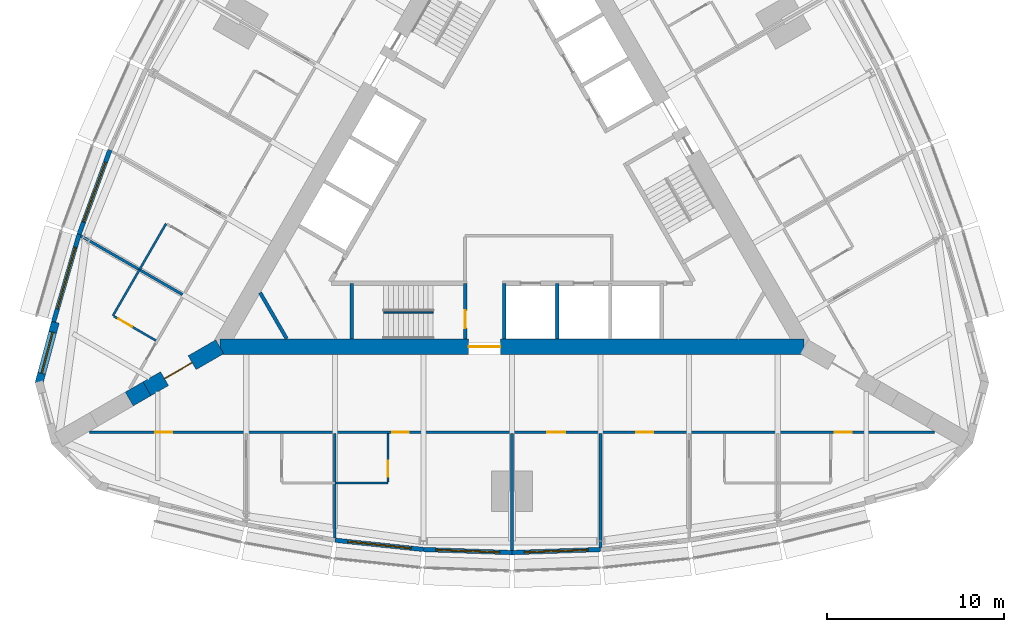
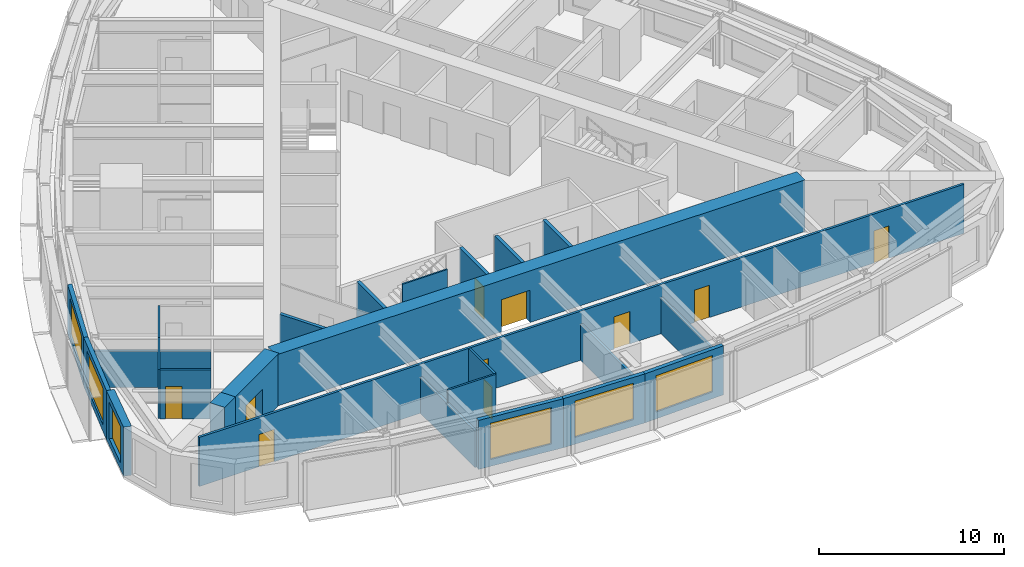
# One storey, part 8 of 14: 25 walls, 10 doors, 6 windows, 16 openings.
"""IFC4 building model written with IfcOpenShell, lengths in metres."""

import ifcopenshell
import ifcopenshell.guid

model = None  # the IFC model being written
_history = None  # IfcOwnerHistory: only IFC2X3 demands one
_inside = {}  # id of a spatial element -> (the spatial element, [elements in it])
_under = {}  # id of a project, library or spatial element -> (it, [spatial elements below it])
_declared = {}  # id of a project -> (the project, [libraries it declares])
_typed = {}  # id of a type object -> (the type object, [elements of that type])
_made_of = {}  # id of a material, layer set ... -> (it, [elements and type objects made of it])


def new_model(schema):
    """Start an empty IFC model of exactly this schema.

    Asked for "IFC4X3", IfcOpenShell would pick the latest addendum, in which some entities
    have other attributes; the version numbers below select the first issue.
    IFC2X3 requires an IfcOwnerHistory on every rooted entity: one is made here for all.
    """
    global model, _history
    if schema == "IFC4X3":
        model = ifcopenshell.file(schema_version=(4, 3, 0, 0))
    else:
        model = ifcopenshell.file(schema=schema)
    _inside.clear()
    _under.clear()
    _declared.clear()
    _typed.clear()
    _made_of.clear()
    _history = None
    if model.schema == "IFC2X3":
        org = make("IfcOrganization", Name="unknown")
        user = make(
            "IfcPersonAndOrganization",
            ThePerson=make("IfcPerson", FamilyName="unknown"),
            TheOrganization=org,
        )
        app = make(
            "IfcApplication",
            ApplicationDeveloper=org,
            Version="unknown",
            ApplicationFullName="unknown",
            ApplicationIdentifier="unknown",
        )
        _history = make(
            "IfcOwnerHistory",
            OwningUser=user,
            OwningApplication=app,
            ChangeAction="ADDED",
            CreationDate=0,
        )
    return model


def make(cls, **values):
    """One entity of the class cls with the attributes given. An attribute that is None is left unset."""
    return model.create_entity(
        cls, **{name: value for name, value in values.items() if value is not None}
    )


def rooted(cls, **values):
    """An entity with a GlobalId (a new one), such as an element, a storey or a relation."""
    return make(cls, GlobalId=ifcopenshell.guid.new(), OwnerHistory=_history, **values)


def si_unit(unit_type, name, prefix=None):
    """IfcSIUnit, for example si_unit("LENGTHUNIT", "METRE", prefix="MILLI")."""
    return make("IfcSIUnit", UnitType=unit_type, Prefix=prefix, Name=name)


def assignment(units):
    """IfcUnitAssignment: the units of a project."""
    return None if units is None else make("IfcUnitAssignment", Units=units)


def point(xyz):
    """IfcCartesianPoint."""
    return None if xyz is None else make("IfcCartesianPoint", Coordinates=xyz)


def direction(xyz):
    """IfcDirection."""
    return None if xyz is None else make("IfcDirection", DirectionRatios=xyz)


def frame(location, z_axis=None, x_axis=None):
    """IfcAxis2Placement3D, a coordinate frame: its origin and axes. An axis left out is left unset."""
    return make(
        "IfcAxis2Placement3D",
        Location=point(location),
        Axis=direction(z_axis),
        RefDirection=direction(x_axis),
    )


def frame_2d(location, x_axis=None):
    """IfcAxis2Placement2D, a coordinate frame in the plane: its origin and x axis."""
    return make(
        "IfcAxis2Placement2D", Location=point(location), RefDirection=direction(x_axis)
    )


def origin():
    """The frame at (0, 0, 0) with its axes left unset."""
    return frame((0.0, 0.0, 0.0))


def place(relative_to, where):
    """IfcLocalPlacement: puts the frame where relative to a parent placement (None: the world)."""
    return make(
        "IfcLocalPlacement", PlacementRelTo=relative_to, RelativePlacement=where
    )


def context(
    kind, dimensions, precision=None, world=None, true_north=None, identifier=None
):
    """IfcGeometricRepresentationContext, for example the 3D "Model" context."""
    return make(
        "IfcGeometricRepresentationContext",
        ContextIdentifier=identifier,
        ContextType=kind,
        CoordinateSpaceDimension=dimensions,
        Precision=precision,
        WorldCoordinateSystem=world,
        TrueNorth=true_north,
    )


def subcontext(parent, identifier, kind, view, scale=None):
    """IfcGeometricRepresentationSubContext, for example "Body" below "Model"."""
    return make(
        "IfcGeometricRepresentationSubContext",
        ContextIdentifier=identifier,
        ContextType=kind,
        ParentContext=parent,
        TargetScale=scale,
        TargetView=view,
    )


def project(units=None, contexts=None):
    """IfcProject with its units and contexts."""
    return rooted(
        "IfcProject",
        Name="project",
        RepresentationContexts=contexts,
        UnitsInContext=assignment(units),
    )


def spatial(cls, under=None, at=None, **own):
    """A site, building, storey or space (cls), placed at a placement, below another one or the project."""
    s = rooted(cls, ObjectPlacement=at, **own)
    if under is not None:
        _under.setdefault(under.id(), (under, []))[1].append(s)
    return s


def profile(cls, at=None, kind="AREA", **sizes):
    """A parametric profile (cls). Its sizes go by their IFC names, for example OverallWidth=200.0."""
    return make(cls, ProfileType=kind, Position=at, **sizes)


def rectangle(**sizes):
    """IfcRectangleProfileDef."""
    return profile("IfcRectangleProfileDef", **sizes)


def extrude(swept, where, along, depth):
    """IfcExtrudedAreaSolid: the profile swept, set in the frame where, extruded along a direction by depth."""
    return make(
        "IfcExtrudedAreaSolid",
        SweptArea=swept,
        Position=where,
        ExtrudedDirection=direction(along),
        Depth=depth,
    )


def shape(context_of_items, identifier, shape_type, items):
    """IfcShapeRepresentation: the items that make up one representation, for example the "Body"."""
    return make(
        "IfcShapeRepresentation",
        ContextOfItems=context_of_items,
        RepresentationIdentifier=identifier,
        RepresentationType=shape_type,
        Items=items,
    )


def material(Name=None, Category=None):
    """IfcMaterial."""
    return make("IfcMaterial", Name=Name, Category=Category)


def layer(
    of_material, thickness, ventilated=None, Name=None, Category=None, Priority=None
):
    """IfcMaterialLayer: one layer of a wall or slab, of a material (None: an air gap)."""
    return make(
        "IfcMaterialLayer",
        Material=of_material,
        LayerThickness=thickness,
        IsVentilated=ventilated,
        Name=Name,
        Category=Category,
        Priority=Priority,
    )


def layer_set(layers, Name=None):
    """IfcMaterialLayerSet."""
    return make("IfcMaterialLayerSet", MaterialLayers=layers, LayerSetName=Name)


def made_of(thing, what):
    """Note that an element or type object is made of a material, layer set ...; save() writes the relation."""
    if what is not None:
        _made_of.setdefault(what.id(), (what, []))[1].append(thing)
    return thing


def type_object(cls, material=None, **own):
    """A type object (cls), such as IfcWallType, which elements share."""
    return made_of(rooted(cls, **own), material)


def element(
    cls,
    number,
    at=None,
    inside=None,
    cuts=None,
    type_object=None,
    material=None,
    context=None,
    identifier="Body",
    shape_type=None,
    held_by="IfcProductDefinitionShape",
    body=None,
    shapes=None,
    **own,
):
    """One element of the class cls, such as IfcWall. Its Tag is "e" and its number.

    at: its placement. inside: the storey or other place that contains it. cuts: it is an
    opening in that element (IfcRelVoidsElement). A single representation is given by context,
    identifier, shape_type and body (its items); several are given by shapes. held_by: the class
    of the entity that holds the representations. save() writes the other relations.
    """
    e = rooted(cls, Tag="e%d" % number, ObjectPlacement=at, **own)
    if body is not None:
        shapes = [shape(context, identifier, shape_type, body)]
    if shapes is not None:
        e.Representation = make(held_by, Representations=shapes)
    if inside is not None:
        _inside.setdefault(inside.id(), (inside, []))[1].append(e)
    if cuts is not None:
        rooted(
            "IfcRelVoidsElement", RelatingBuildingElement=cuts, RelatedOpeningElement=e
        )
    if type_object is not None:
        _typed.setdefault(type_object.id(), (type_object, []))[1].append(e)
    return made_of(e, material)


def fill(opening, filler):
    """IfcRelFillsElement: the door or window that sits in an opening."""
    return rooted(
        "IfcRelFillsElement",
        RelatingOpeningElement=opening,
        RelatedBuildingElement=filler,
    )


def aggregate(whole, parts):
    """IfcRelAggregates: a whole, such as a stair, and the parts it consists of."""
    return rooted("IfcRelAggregates", RelatingObject=whole, RelatedObjects=parts)


def save(model, path):
    """Write the relations noted so far, then the file.

    IfcRelAggregates (storeys below a building ...), IfcRelContainedInSpatialStructure (elements
    in a storey), IfcRelDefinesByType, IfcRelAssociatesMaterial and IfcRelDeclares: one each for
    every whole, place, type object, material and project.
    """
    for whole, parts in _under.values():
        aggregate(whole, parts)
    for where, things in _inside.values():
        rooted(
            "IfcRelContainedInSpatialStructure",
            RelatedElements=things,
            RelatingStructure=where,
        )
    for kind, things in _typed.values():
        rooted("IfcRelDefinesByType", RelatedObjects=things, RelatingType=kind)
    for what, things in _made_of.values():
        rooted("IfcRelAssociatesMaterial", RelatedObjects=things, RelatingMaterial=what)
    for by, libraries in _declared.values():
        rooted("IfcRelDeclares", RelatingContext=by, RelatedDefinitions=libraries)
    model.write(path)


model = new_model("IFC4")

# Units and contexts
model_context = context("Model", 3, precision=1e-05, world=origin(), true_north=direction((0.0, 1.0)))
body_context = subcontext(model_context, "Body", "Model", "MODEL_VIEW")
ifc_project = project(units=[si_unit("LENGTHUNIT", "METRE"), si_unit("AREAUNIT", "SQUARE_METRE"), si_unit("VOLUMEUNIT", "CUBIC_METRE"), si_unit("PLANEANGLEUNIT", "RADIAN"), si_unit("MASSUNIT", "GRAM", prefix="KILO")], contexts=[model_context])

# Site, building, storey
site_placement = place(None, origin())
site = spatial("IfcSite", under=ifc_project, at=site_placement, CompositionType="ELEMENT")
building_placement = place(site_placement, origin())
building = spatial("IfcBuilding", under=site, at=building_placement, Name="Trikona Tower", CompositionType="ELEMENT")
storey_placement = place(building_placement, frame((0.0, 0.0, 182.699951171875)))
storey = spatial("IfcBuildingStorey", under=building, at=storey_placement, Name="L49", CompositionType="ELEMENT", Elevation=182.699951171875)

# Wall
ifc_material_1 = material(Name="Metal stud and cement board", Category="gypsum")
ifc_layer_1 = layer(ifc_material_1, 0.1201171875)
ifc_layer_set_1 = layer_set([ifc_layer_1], Name="Bathroom wall 120")
wall_type_1 = type_object("IfcWallType", Name="Bathroom wall 120", PredefinedType="PLUMBINGWALL", material=ifc_layer_set_1)
wall_1_placement = place(storey_placement, frame((-10.0, -17.226318359375, 0.0), z_axis=(0.0, 0.0, 1.0), x_axis=(1.0, 0.0, 0.0)))
element("IfcWall", 1, at=wall_1_placement, inside=storey, type_object=wall_type_1, Name="Bathroom wall 4902", PredefinedType="PLUMBINGWALL", context=body_context, shape_type="SweptSolid", body=[
    extrude(rectangle(XDim=3.0, YDim=0.1201171875, at=frame_2d((1.5, 0.0))), origin(), (0.0, 0.0, 1.0), 3.235107421875),
])

# Wall, opening, door
wall_2_placement = place(storey_placement, frame((-7.0, -14.42626953125, 0.0), z_axis=(0.0, 0.0, 1.0), x_axis=(0.0, -1.0, 0.0)))
wall_2 = element("IfcWall", 2, at=wall_2_placement, inside=storey, type_object=wall_type_1, Name="Bathroom wall 4902", PredefinedType="PLUMBINGWALL", context=body_context, shape_type="SweptSolid", body=[
    extrude(rectangle(XDim=2.739990234375, YDim=0.1201171875, at=frame_2d((1.3701171875, 0.0))), origin(), (0.0, 0.0, 1.0), 3.235107421875),
])
opening_1_placement = place(wall_2_placement, frame((1.550048828125, 0.0, 0.0)))
opening_1 = element("IfcOpeningElement", 3, at=opening_1_placement, cuts=wall_2, Name="Opening D2", PredefinedType="OPENING", context=body_context, shape_type="SweptSolid", body=[
    extrude(rectangle(XDim=0.89990234375, YDim=2.1298828125, at=frame_2d((0.449951171875, 1.06494140625))), frame((0.0, 0.070068359375, 0.0), z_axis=(0.0, -1.0, 0.0), x_axis=(1.0, 0.0, 0.0)), (0.0, 0.0, 1.0), 0.14013671875),
])
ifc_material_2 = material(Name="Steel door frame with solid-core timber leaf", Category="steel")
door_type_1 = type_object("IfcDoorType", Name="Bathroom door 900x2130", OperationType="SLIDING_TO_LEFT", PredefinedType="DOOR", material=ifc_material_2)
door_1_placement = place(opening_1_placement, origin())
door_1 = element("IfcDoor", 4, at=door_1_placement, inside=storey, type_object=door_type_1, Name="Bathroom door 4902", OperationType="SLIDING_TO_LEFT", OverallHeight=2.1298828125, OverallWidth=0.89990234375, PredefinedType="DOOR", context=body_context, shape_type="SweptSolid", body=[
    extrude(rectangle(XDim=0.89990234375, YDim=2.1298828125, at=frame_2d((0.449951171875, 1.06494140625))), frame((0.0, 0.02490234375, 0.0), z_axis=(0.0, -1.0, 0.0), x_axis=(1.0, 0.0, 0.0)), (0.0, 0.0, 1.0), 0.050048828125),
])
fill(opening_1, door_1)

# Walls
for number, where, z_axis, x_axis, name in (
    (5, (-19.53271484375, -2.5791015625, 0.0), (0.0, 0.0, 1.0), (-0.499990139034, -0.866031096941, 0.0), "Bathroom wall 4911.1"),
    (6, (-21.03271484375, -5.17724609375, 0.0), (0.0, 0.0, 1.0), (-0.499990139034, -0.866031096941, 0.0), "Bathroom wall 4912"),
):
    element("IfcWall", number, at=place(storey_placement, frame(where, z_axis=z_axis, x_axis=x_axis)), inside=storey, type_object=wall_type_1, Name=name, PredefinedType="PLUMBINGWALL", context=body_context, shape_type="SweptSolid", body=[
        extrude(rectangle(XDim=3.0, YDim=0.1201171875, at=frame_2d((1.5, 0.0))), origin(), (0.0, 0.0, 1.0), 3.235107421875),
    ])

# Wall, opening, door
wall_3_placement = place(storey_placement, frame((-20.10791015625, -9.17529296875, 0.0), z_axis=(0.0, 0.0, 1.0), x_axis=(-0.866035715982, 0.499982138324, 0.0)))
wall_3 = element("IfcWall", 7, at=wall_3_placement, inside=storey, type_object=wall_type_1, Name="Bathroom wall 4912", PredefinedType="PLUMBINGWALL", context=body_context, shape_type="SweptSolid", body=[
    extrude(rectangle(XDim=2.73974609375, YDim=0.1201171875, at=frame_2d((1.369873046875, 0.0))), origin(), (0.0, 0.0, 1.0), 3.235107421875),
])
opening_2_placement = place(wall_3_placement, frame((1.550048828125, 0.0, 0.0)))
opening_2 = element("IfcOpeningElement", 8, at=opening_2_placement, cuts=wall_3, Name="Opening D2", PredefinedType="OPENING", context=body_context, shape_type="SweptSolid", body=[
    extrude(rectangle(XDim=0.89990234375, YDim=2.1298828125, at=frame_2d((0.449951171875, 1.06494140625))), frame((0.0, 0.070068359375, 0.0), z_axis=(0.0, -1.0, 0.0), x_axis=(1.0, 0.0, 0.0)), (0.0, 0.0, 1.0), 0.14013671875),
])
door_2_placement = place(opening_2_placement, origin())
door_2 = element("IfcDoor", 9, at=door_2_placement, inside=storey, type_object=door_type_1, Name="Bathroom door 4912", OperationType="SLIDING_TO_LEFT", OverallHeight=2.1298828125, OverallWidth=0.89990234375, PredefinedType="DOOR", context=body_context, shape_type="SweptSolid", body=[
    extrude(rectangle(XDim=0.89990234375, YDim=2.1298828125, at=frame_2d((0.449951171875, 1.06494140625))), frame((0.0, 0.02490234375, 0.0), z_axis=(0.0, -1.0, 0.0), x_axis=(1.0, 0.0, 0.0)), (0.0, 0.0, 1.0), 0.050048828125),
])
fill(opening_2, door_2)

# Wall, opening, window
ifc_material_3 = material(Name="Brick-faced precast concrete", Category="masonry")
ifc_layer_2 = layer(ifc_material_3, 0.449951171875)
ifc_layer_set_2 = layer_set([ifc_layer_2], Name="Brick-faced corner wall 450")
wall_type_2 = type_object("IfcWallType", Name="Brick-faced corner wall 450", PredefinedType="SOLIDWALL", material=ifc_layer_set_2)
wall_4_placement = place(storey_placement, frame((-25.78271484375, -8.14111328125, 0.0), z_axis=(0.0, 0.0, 1.0), x_axis=(-0.258823421857, -0.965924653531, 0.0)))
wall_4 = element("IfcWall", 10, at=wall_4_placement, inside=storey, type_object=wall_type_2, Name="External wall L49-32", PredefinedType="SOLIDWALL", context=body_context, shape_type="SweptSolid", body=[
    extrude(rectangle(XDim=3.58642578125, YDim=0.449951171875, at=frame_2d((1.793212890625, 0.0))), origin(), (0.0, 0.0, 1.0), 3.235107421875),
])
opening_3_placement = place(wall_4_placement, frame((0.593017578125, 0.0, 0.449951171875)))
opening_3 = element("IfcOpeningElement", 11, at=opening_3_placement, cuts=wall_4, Name="Opening W2424", PredefinedType="OPENING", context=body_context, shape_type="SweptSolid", body=[
    extrude(rectangle(XDim=2.39990234375, YDim=2.39990234375, at=frame_2d((1.199951171875, 1.199951171875))), frame((0.0, 0.23486328125, 0.0), z_axis=(0.0, -1.0, 0.0), x_axis=(1.0, 0.0, 0.0)), (0.0, 0.0, 1.0), 0.469970703125),
])
ifc_material_4 = material(Name="Aluminium-framed double glazing", Category="aluminium")
window_type_1 = type_object("IfcWindowType", Name="Window 2400x2400", PartitioningType="SINGLE_PANEL", PredefinedType="WINDOW", material=ifc_material_4)
window_1_placement = place(opening_3_placement, origin())
window_1 = element("IfcWindow", 12, at=window_1_placement, inside=storey, type_object=window_type_1, Name="Window 4912", OverallHeight=2.39990234375, OverallWidth=2.39990234375, PartitioningType="SINGLE_PANEL", PredefinedType="WINDOW", context=body_context, shape_type="SweptSolid", body=[
    extrude(rectangle(XDim=2.39990234375, YDim=2.39990234375, at=frame_2d((1.199951171875, 1.199951171875))), frame((0.0, 0.030029296875, 0.0), z_axis=(0.0, -1.0, 0.0), x_axis=(1.0, 0.0, 0.0)), (0.0, 0.0, 1.0), 0.06005859375),
])
fill(opening_3, window_1)

# Wall, opening, door
ifc_material_5 = material(Name="Concrete f'c 10000 psi", Category="concrete")
ifc_layer_3 = layer(ifc_material_5, 0.89990234375)
ifc_layer_set_3 = layer_set([ifc_layer_3], Name="Buttress wall 900")
wall_type_3 = type_object("IfcWallType", Name="Buttress wall 900", PredefinedType="SHEAR", material=ifc_layer_set_3)
wall_5_placement = place(storey_placement, frame((-16.5, -9.5263671875, 0.0), z_axis=(0.0, 0.0, 1.0), x_axis=(-0.866031398331, -0.499989616998, 0.0)))
wall_5 = element("IfcWall", 13, at=wall_5_placement, inside=storey, type_object=wall_type_3, Name="Buttress wall 3", PredefinedType="SHEAR", context=body_context, shape_type="SweptSolid", body=[
    extrude(rectangle(XDim=4.74609375, YDim=0.89990234375, at=frame_2d((2.373046875, 0.0))), origin(), (0.0, 0.0, 1.0), 3.400146484375),
])
opening_4_placement = place(wall_5_placement, frame((1.800048828125, 0.0, 0.0)))
opening_4 = element("IfcOpeningElement", 14, at=opening_4_placement, cuts=wall_5, Name="Opening D10", PredefinedType="OPENING", context=body_context, shape_type="SweptSolid", body=[
    extrude(rectangle(XDim=1.800048828125, YDim=2.1298828125, at=frame_2d((0.89990234375, 1.06494140625))), frame((0.0, 0.4599609375, 0.0), z_axis=(0.0, -1.0, 0.0), x_axis=(1.0, 0.0, 0.0)), (0.0, 0.0, 1.0), 0.919921875),
])
ifc_material_6 = material(Name="Hollow metal door and frame", Category="steel")
door_type_2 = type_object("IfcDoorType", Name="Cross-corridor door pair 1800x2130", OperationType="DOUBLE_DOOR_DOUBLE_SWING", PredefinedType="DOOR", material=ifc_material_6)
door_3_placement = place(opening_4_placement, origin())
door_3 = element("IfcDoor", 15, at=door_3_placement, inside=storey, type_object=door_type_2, Name="Cross-corridor door 3", OperationType="DOUBLE_DOOR_DOUBLE_SWING", OverallHeight=2.1298828125, OverallWidth=1.800048828125, PredefinedType="DOOR", context=body_context, shape_type="SweptSolid", body=[
    extrude(rectangle(XDim=1.800048828125, YDim=2.1298828125, at=frame_2d((0.89990234375, 1.06494140625))), frame((0.0, 0.02490234375, 0.0), z_axis=(0.0, -1.0, 0.0), x_axis=(1.0, 0.0, 0.0)), (0.0, 0.0, 1.0), 0.050048828125),
])
fill(opening_4, door_3)

# Wall
wall_6_placement = place(storey_placement, frame((-20.6103515625, -11.8994140625, 0.0), z_axis=(0.0, 0.0, 1.0), x_axis=(-0.866009537788, -0.500027479704, 0.0)))
element("IfcWall", 16, at=wall_6_placement, inside=storey, type_object=wall_type_3, Name="Buttress wall 3 part 2", PredefinedType="SHEAR", context=body_context, shape_type="SweptSolid", body=[
    extrude(rectangle(XDim=1.15478515625, YDim=0.89990234375, at=frame_2d((0.577392578125, 0.0))), origin(), (0.0, 0.0, 1.0), 3.400146484375),
])

# Wall, opening, door
ifc_material_7 = material(Name="Concrete f'c 10000 psi", Category="concrete")
ifc_layer_4 = layer(ifc_material_7, 0.89990234375)
ifc_layer_set_4 = layer_set([ifc_layer_4], Name="Core wall 900")
wall_type_4 = type_object("IfcWallType", Name="Core wall 900", PredefinedType="SHEAR", material=ifc_layer_set_4)
wall_7_placement = place(storey_placement, frame((-16.5, -9.5263671875, 0.0), z_axis=(0.0, 0.0, 1.0), x_axis=(1.0, 0.0, 0.0)))
wall_7 = element("IfcWall", 17, at=wall_7_placement, inside=storey, type_object=wall_type_4, Name="Core wall A", PredefinedType="SHEAR", context=body_context, shape_type="SweptSolid", body=[
    extrude(rectangle(XDim=33.0, YDim=0.89990234375, at=frame_2d((16.5, 0.0))), origin(), (0.0, 0.0, 1.0), 3.400146484375),
])
opening_5_placement = place(wall_7_placement, frame((14.050048828125, 0.0, 0.0)))
opening_5 = element("IfcOpeningElement", 18, at=opening_5_placement, cuts=wall_7, Name="Opening D6", PredefinedType="OPENING", context=body_context, shape_type="SweptSolid", body=[
    extrude(rectangle(XDim=1.800048828125, YDim=2.1298828125, at=frame_2d((0.89990234375, 1.06494140625))), frame((0.0, 0.4599609375, 0.0), z_axis=(0.0, -1.0, 0.0), x_axis=(1.0, 0.0, 0.0)), (0.0, 0.0, 1.0), 0.919921875),
])
ifc_material_8 = material(Name="Hollow metal door and frame", Category="steel")
door_type_3 = type_object("IfcDoorType", Name="Lobby door pair 1800x2130", OperationType="DOUBLE_DOOR_SINGLE_SWING", PredefinedType="DOOR", material=ifc_material_8)
door_4_placement = place(opening_5_placement, origin())
door_4 = element("IfcDoor", 19, at=door_4_placement, inside=storey, type_object=door_type_3, Name="Fire service lift lobby door", OperationType="DOUBLE_DOOR_SINGLE_SWING", OverallHeight=2.1298828125, OverallWidth=1.800048828125, PredefinedType="DOOR", context=body_context, shape_type="SweptSolid", body=[
    extrude(rectangle(XDim=1.800048828125, YDim=2.1298828125, at=frame_2d((0.89990234375, 1.06494140625))), frame((0.0, 0.02490234375, 0.0), z_axis=(0.0, -1.0, 0.0), x_axis=(1.0, 0.0, 0.0)), (0.0, 0.0, 1.0), 0.050048828125),
])
fill(opening_5, door_4)

# Wall, openings, doors
ifc_material_9 = material(Name="Metal stud and gypsum board, 1-hour", Category="gypsum")
ifc_layer_5 = layer(ifc_material_9, 0.14990234375)
ifc_layer_set_5 = layer_set([ifc_layer_5], Name="Corridor wall 150")
wall_type_5 = type_object("IfcWallType", Name="Corridor wall 150", PredefinedType="PARTITIONING", material=ifc_layer_set_5)
wall_8_placement = place(storey_placement, frame((-23.857177734375, -14.351318359375, 0.0), z_axis=(0.0, 0.0, 1.0), x_axis=(1.0, 0.0, 0.0)))
wall_8 = element("IfcWall", 20, at=wall_8_placement, inside=storey, type_object=wall_type_5, Name="Corridor wall L49-1", PredefinedType="PARTITIONING", context=body_context, shape_type="SweptSolid", body=[
    extrude(rectangle(XDim=47.71435546875, YDim=0.14990234375, at=frame_2d((23.857177734375, 0.0))), origin(), (0.0, 0.0, 1.0), 3.235107421875),
])
opening_6_placement = place(wall_8_placement, frame((3.723388671875, 0.0, 0.0)))
opening_6 = element("IfcOpeningElement", 21, at=opening_6_placement, cuts=wall_8, Name="Opening D1", PredefinedType="OPENING", context=body_context, shape_type="SweptSolid", body=[
    extrude(rectangle(XDim=0.949951171875, YDim=2.1298828125, at=frame_2d((0.47509765625, 1.06494140625))), frame((0.0, 0.0849609375, 0.0), z_axis=(0.0, -1.0, 0.0), x_axis=(1.0, 0.0, 0.0)), (0.0, 0.0, 1.0), 0.169921875),
])
opening_7_placement = place(wall_8_placement, frame((17.08203125, 0.0, 0.0)))
opening_7 = element("IfcOpeningElement", 22, at=opening_7_placement, cuts=wall_8, Name="Opening D1", PredefinedType="OPENING", context=body_context, shape_type="SweptSolid", body=[
    extrude(rectangle(XDim=0.949951171875, YDim=2.1298828125, at=frame_2d((0.47509765625, 1.06494140625))), frame((0.0, 0.0849609375, 0.0), z_axis=(0.0, -1.0, 0.0), x_axis=(1.0, 0.0, 0.0)), (0.0, 0.0, 1.0), 0.169921875),
])
opening_8_placement = place(wall_8_placement, frame((25.857177734375, 0.0, 0.0)))
opening_8 = element("IfcOpeningElement", 23, at=opening_8_placement, cuts=wall_8, Name="Opening D3", PredefinedType="OPENING", context=body_context, shape_type="SweptSolid", body=[
    extrude(rectangle(XDim=1.0, YDim=2.1298828125, at=frame_2d((0.5, 1.06494140625))), frame((0.0, 0.0849609375, 0.0), z_axis=(0.0, -1.0, 0.0), x_axis=(1.0, 0.0, 0.0)), (0.0, 0.0, 1.0), 0.169921875),
])
opening_9_placement = place(wall_8_placement, frame((30.882080078125, 0.0, 0.0)))
opening_9 = element("IfcOpeningElement", 24, at=opening_9_placement, cuts=wall_8, Name="Opening D1", PredefinedType="OPENING", context=body_context, shape_type="SweptSolid", body=[
    extrude(rectangle(XDim=0.949951171875, YDim=2.1298828125, at=frame_2d((0.47509765625, 1.06494140625))), frame((0.0, 0.0849609375, 0.0), z_axis=(0.0, -1.0, 0.0), x_axis=(1.0, 0.0, 0.0)), (0.0, 0.0, 1.0), 0.169921875),
])
opening_10_placement = place(wall_8_placement, frame((42.08203125, 0.0, 0.0)))
opening_10 = element("IfcOpeningElement", 25, at=opening_10_placement, cuts=wall_8, Name="Opening D1", PredefinedType="OPENING", context=body_context, shape_type="SweptSolid", body=[
    extrude(rectangle(XDim=0.949951171875, YDim=2.1298828125, at=frame_2d((0.47509765625, 1.06494140625))), frame((0.0, 0.0849609375, 0.0), z_axis=(0.0, -1.0, 0.0), x_axis=(1.0, 0.0, 0.0)), (0.0, 0.0, 1.0), 0.169921875),
])
ifc_material_10 = material(Name="Steel door frame with solid-core timber leaf", Category="steel")
door_type_4 = type_object("IfcDoorType", Name="Guest room door 950x2130", OperationType="SINGLE_SWING_LEFT", PredefinedType="DOOR", material=ifc_material_10)
door_5_placement = place(opening_6_placement, origin())
door_5 = element("IfcDoor", 26, at=door_5_placement, inside=storey, type_object=door_type_4, Name="Room door 4901", OperationType="SINGLE_SWING_LEFT", OverallHeight=2.1298828125, OverallWidth=0.949951171875, PredefinedType="DOOR", context=body_context, shape_type="SweptSolid", body=[
    extrude(rectangle(XDim=0.949951171875, YDim=2.1298828125, at=frame_2d((0.47509765625, 1.06494140625))), frame((0.0, 0.02490234375, 0.0), z_axis=(0.0, -1.0, 0.0), x_axis=(1.0, 0.0, 0.0)), (0.0, 0.0, 1.0), 0.050048828125),
])
fill(opening_6, door_5)
door_6_placement = place(opening_7_placement, origin())
door_6 = element("IfcDoor", 27, at=door_6_placement, inside=storey, type_object=door_type_4, Name="Room door 4902", OperationType="SINGLE_SWING_RIGHT", OverallHeight=2.1298828125, OverallWidth=0.949951171875, PredefinedType="DOOR", context=body_context, shape_type="SweptSolid", body=[
    extrude(rectangle(XDim=0.949951171875, YDim=2.1298828125, at=frame_2d((0.47509765625, 1.06494140625))), frame((0.0, 0.02490234375, 0.0), z_axis=(0.0, -1.0, 0.0), x_axis=(1.0, 0.0, 0.0)), (0.0, 0.0, 1.0), 0.050048828125),
])
fill(opening_7, door_6)
door_7_placement = place(opening_9_placement, origin())
door_7 = element("IfcDoor", 28, at=door_7_placement, inside=storey, type_object=door_type_4, Name="Room door 4903", OperationType="SINGLE_SWING_RIGHT", OverallHeight=2.1298828125, OverallWidth=0.949951171875, PredefinedType="DOOR", context=body_context, shape_type="SweptSolid", body=[
    extrude(rectangle(XDim=0.949951171875, YDim=2.1298828125, at=frame_2d((0.47509765625, 1.06494140625))), frame((0.0, 0.02490234375, 0.0), z_axis=(0.0, -1.0, 0.0), x_axis=(1.0, 0.0, 0.0)), (0.0, 0.0, 1.0), 0.050048828125),
])
fill(opening_9, door_7)
door_8_placement = place(opening_10_placement, origin())
door_8 = element("IfcDoor", 29, at=door_8_placement, inside=storey, type_object=door_type_4, Name="Room door 4904", OperationType="SINGLE_SWING_LEFT", OverallHeight=2.1298828125, OverallWidth=0.949951171875, PredefinedType="DOOR", context=body_context, shape_type="SweptSolid", body=[
    extrude(rectangle(XDim=0.949951171875, YDim=2.1298828125, at=frame_2d((0.47509765625, 1.06494140625))), frame((0.0, 0.02490234375, 0.0), z_axis=(0.0, -1.0, 0.0), x_axis=(1.0, 0.0, 0.0)), (0.0, 0.0, 1.0), 0.050048828125),
])
fill(opening_10, door_8)
ifc_material_11 = material(Name="Steel door frame with solid-core timber leaf", Category="steel")
door_type_5 = type_object("IfcDoorType", Name="Room door 1000x2130", OperationType="SINGLE_SWING_LEFT", PredefinedType="DOOR", material=ifc_material_11)
door_9_placement = place(opening_8_placement, origin())
door_9 = element("IfcDoor", 30, at=door_9_placement, inside=storey, type_object=door_type_5, Name="Door Housekeeping pantry", OperationType="SINGLE_SWING_LEFT", OverallHeight=2.1298828125, OverallWidth=1.0, PredefinedType="DOOR", context=body_context, shape_type="SweptSolid", body=[
    extrude(rectangle(XDim=1.0, YDim=2.1298828125, at=frame_2d((0.5, 1.06494140625))), frame((0.0, 0.02490234375, 0.0), z_axis=(0.0, -1.0, 0.0), x_axis=(1.0, 0.0, 0.0)), (0.0, 0.0, 1.0), 0.050048828125),
])
fill(opening_8, door_9)

# Wall, opening, window
ifc_material_12 = material(Name="Insulated precast concrete spandrel panel", Category="concrete")
ifc_layer_6 = layer(ifc_material_12, 0.25)
ifc_layer_set_6 = layer_set([ifc_layer_6], Name="Inner skin wall 250")
wall_type_6 = type_object("IfcWallType", Name="Inner skin wall 250", PredefinedType="STANDARD", material=ifc_layer_set_6)
wall_9_placement = place(storey_placement, frame((-9.98681640625, -20.450927734375, 0.0), z_axis=(0.0, 0.0, 1.0), x_axis=(0.994534683851, -0.104406717299, 0.0)))
wall_9 = element("IfcWall", 31, at=wall_9_placement, inside=storey, type_object=wall_type_6, Name="External wall L49-02", PredefinedType="STANDARD", context=body_context, shape_type="SweptSolid", body=[
    extrude(rectangle(XDim=5.027587890625, YDim=0.25, at=frame_2d((2.513671875, 0.0))), origin(), (0.0, 0.0, 1.0), 3.235107421875),
])
opening_11_placement = place(wall_9_placement, frame((0.713623046875, 0.0, 0.449951171875)))
opening_11 = element("IfcOpeningElement", 32, at=opening_11_placement, cuts=wall_9, Name="Opening W3624", PredefinedType="OPENING", context=body_context, shape_type="SweptSolid", body=[
    extrude(rectangle(XDim=3.60009765625, YDim=2.39990234375, at=frame_2d((1.800048828125, 1.199951171875))), frame((0.0, 0.135009765625, 0.0), z_axis=(0.0, -1.0, 0.0), x_axis=(1.0, 0.0, 0.0)), (0.0, 0.0, 1.0), 0.27001953125),
])
ifc_material_13 = material(Name="Aluminium-framed double glazing", Category="aluminium")
window_type_2 = type_object("IfcWindowType", Name="Window 3600x2400", PartitioningType="SINGLE_PANEL", PredefinedType="WINDOW", material=ifc_material_13)
window_2_placement = place(opening_11_placement, origin())
window_2 = element("IfcWindow", 33, at=window_2_placement, inside=storey, type_object=window_type_2, Name="Window 4902", OverallHeight=2.39990234375, OverallWidth=3.60009765625, PartitioningType="SINGLE_PANEL", PredefinedType="WINDOW", context=body_context, shape_type="SweptSolid", body=[
    extrude(rectangle(XDim=3.60009765625, YDim=2.39990234375, at=frame_2d((1.800048828125, 1.199951171875))), frame((0.0, 0.030029296875, 0.0), z_axis=(0.0, -1.0, 0.0), x_axis=(1.0, 0.0, 0.0)), (0.0, 0.0, 1.0), 0.06005859375),
])
fill(opening_11, window_2)

wall_10_placement = place(storey_placement, frame((-4.99560546875, -20.975341796875, 0.0), z_axis=(0.0, 0.0, 1.0), x_axis=(0.999387720943, -0.034988329879, 0.0)))
wall_10 = element("IfcWall", 34, at=wall_10_placement, inside=storey, type_object=wall_type_6, Name="External wall L49-03", PredefinedType="STANDARD", context=body_context, shape_type="SweptSolid", body=[
    extrude(rectangle(XDim=5.003173828125, YDim=0.25, at=frame_2d((2.50146484375, 0.0))), origin(), (0.0, 0.0, 1.0), 3.235107421875),
])
opening_12_placement = place(wall_10_placement, frame((0.701416015625, 0.0, 0.449951171875)))
opening_12 = element("IfcOpeningElement", 35, at=opening_12_placement, cuts=wall_10, Name="Opening W3624", PredefinedType="OPENING", context=body_context, shape_type="SweptSolid", body=[
    extrude(rectangle(XDim=3.60009765625, YDim=2.39990234375, at=frame_2d((1.800048828125, 1.199951171875))), frame((0.0, 0.135009765625, 0.0), z_axis=(0.0, -1.0, 0.0), x_axis=(1.0, 0.0, 0.0)), (0.0, 0.0, 1.0), 0.27001953125),
])
window_3_placement = place(opening_12_placement, origin())
window_3 = element("IfcWindow", 36, at=window_3_placement, inside=storey, type_object=window_type_2, Name="Window 4902", OverallHeight=2.39990234375, OverallWidth=3.60009765625, PartitioningType="SINGLE_PANEL", PredefinedType="WINDOW", context=body_context, shape_type="SweptSolid", body=[
    extrude(rectangle(XDim=3.60009765625, YDim=2.39990234375, at=frame_2d((1.800048828125, 1.199951171875))), frame((0.0, 0.030029296875, 0.0), z_axis=(0.0, -1.0, 0.0), x_axis=(1.0, 0.0, 0.0)), (0.0, 0.0, 1.0), 0.06005859375),
])
fill(opening_12, window_3)

wall_11_placement = place(storey_placement, frame((-0.00439453125, -21.150390625, 0.0), z_axis=(0.0, 0.0, 1.0), x_axis=(0.999387720943, 0.034988329879, 0.0)))
wall_11 = element("IfcWall", 37, at=wall_11_placement, inside=storey, type_object=wall_type_6, Name="External wall L49-04", PredefinedType="STANDARD", context=body_context, shape_type="SweptSolid", body=[
    extrude(rectangle(XDim=5.003173828125, YDim=0.25, at=frame_2d((2.50146484375, 0.0))), origin(), (0.0, 0.0, 1.0), 3.235107421875),
])
opening_13_placement = place(wall_11_placement, frame((0.701416015625, 0.0, 0.449951171875)))
opening_13 = element("IfcOpeningElement", 38, at=opening_13_placement, cuts=wall_11, Name="Opening W3624", PredefinedType="OPENING", context=body_context, shape_type="SweptSolid", body=[
    extrude(rectangle(XDim=3.60009765625, YDim=2.39990234375, at=frame_2d((1.800048828125, 1.199951171875))), frame((0.0, 0.135009765625, 0.0), z_axis=(0.0, -1.0, 0.0), x_axis=(1.0, 0.0, 0.0)), (0.0, 0.0, 1.0), 0.27001953125),
])
window_4_placement = place(opening_13_placement, origin())
window_4 = element("IfcWindow", 39, at=window_4_placement, inside=storey, type_object=window_type_2, Name="Window L49-HKP", OverallHeight=2.39990234375, OverallWidth=3.60009765625, PartitioningType="SINGLE_PANEL", PredefinedType="WINDOW", context=body_context, shape_type="SweptSolid", body=[
    extrude(rectangle(XDim=3.60009765625, YDim=2.39990234375, at=frame_2d((1.800048828125, 1.199951171875))), frame((0.0, 0.030029296875, 0.0), z_axis=(0.0, -1.0, 0.0), x_axis=(1.0, 0.0, 0.0)), (0.0, 0.0, 1.0), 0.06005859375),
])
fill(opening_13, window_4)

wall_12_placement = place(storey_placement, frame((-22.701416015625, 1.58447265625, 0.0), z_axis=(0.0, 0.0, 1.0), x_axis=(-0.343225593282, -0.939252996863, 0.0)))
wall_12 = element("IfcWall", 40, at=wall_12_placement, inside=storey, type_object=wall_type_6, Name="External wall L49-30", PredefinedType="STANDARD", context=body_context, shape_type="SweptSolid", body=[
    extrude(rectangle(XDim=5.075927734375, YDim=0.25, at=frame_2d((2.5380859375, 0.0))), origin(), (0.0, 0.0, 1.0), 3.235107421875),
])
opening_14_placement = place(wall_12_placement, frame((0.738037109375, 0.0, 0.449951171875)))
opening_14 = element("IfcOpeningElement", 41, at=opening_14_placement, cuts=wall_12, Name="Opening W3624", PredefinedType="OPENING", context=body_context, shape_type="SweptSolid", body=[
    extrude(rectangle(XDim=3.60009765625, YDim=2.39990234375, at=frame_2d((1.800048828125, 1.199951171875))), frame((0.0, 0.135009765625, 0.0), z_axis=(0.0, -1.0, 0.0), x_axis=(1.0, 0.0, 0.0)), (0.0, 0.0, 1.0), 0.27001953125),
])
window_5_placement = place(opening_14_placement, origin())
window_5 = element("IfcWindow", 42, at=window_5_placement, inside=storey, type_object=window_type_2, Name="Window 4911.1", OverallHeight=2.39990234375, OverallWidth=3.60009765625, PartitioningType="SINGLE_PANEL", PredefinedType="WINDOW", context=body_context, shape_type="SweptSolid", body=[
    extrude(rectangle(XDim=3.60009765625, YDim=2.39990234375, at=frame_2d((1.800048828125, 1.199951171875))), frame((0.0, 0.030029296875, 0.0), z_axis=(0.0, -1.0, 0.0), x_axis=(1.0, 0.0, 0.0)), (0.0, 0.0, 1.0), 0.06005859375),
])
fill(opening_14, window_5)

wall_13_placement = place(storey_placement, frame((-24.44091796875, -3.17529296875, 0.0), z_axis=(0.0, 0.0, 1.0), x_axis=(-0.279528287117, -0.960137457191, 0.0)))
wall_13 = element("IfcWall", 43, at=wall_13_placement, inside=storey, type_object=wall_type_6, Name="External wall L49-31", PredefinedType="STANDARD", context=body_context, shape_type="SweptSolid", body=[
    extrude(rectangle(XDim=5.14794921875, YDim=0.25, at=frame_2d((2.573974609375, 0.0))), origin(), (0.0, 0.0, 1.0), 3.235107421875),
])
opening_15_placement = place(wall_13_placement, frame((0.77392578125, 0.0, 0.449951171875)))
opening_15 = element("IfcOpeningElement", 44, at=opening_15_placement, cuts=wall_13, Name="Opening W3624", PredefinedType="OPENING", context=body_context, shape_type="SweptSolid", body=[
    extrude(rectangle(XDim=3.60009765625, YDim=2.39990234375, at=frame_2d((1.800048828125, 1.199951171875))), frame((0.0, 0.135009765625, 0.0), z_axis=(0.0, -1.0, 0.0), x_axis=(1.0, 0.0, 0.0)), (0.0, 0.0, 1.0), 0.27001953125),
])
window_6_placement = place(opening_15_placement, origin())
window_6 = element("IfcWindow", 45, at=window_6_placement, inside=storey, type_object=window_type_2, Name="Window 4912", OverallHeight=2.39990234375, OverallWidth=3.60009765625, PartitioningType="SINGLE_PANEL", PredefinedType="WINDOW", context=body_context, shape_type="SweptSolid", body=[
    extrude(rectangle(XDim=3.60009765625, YDim=2.39990234375, at=frame_2d((1.800048828125, 1.199951171875))), frame((0.0, 0.030029296875, 0.0), z_axis=(0.0, -1.0, 0.0), x_axis=(1.0, 0.0, 0.0)), (0.0, 0.0, 1.0), 0.06005859375),
])
fill(opening_15, window_6)

# Walls
ifc_material_14 = material(Name="Metal stud and gypsum board, 1-hour acoustic", Category="gypsum")
ifc_layer_7 = layer(ifc_material_14, 0.14990234375)
ifc_layer_set_7 = layer_set([ifc_layer_7], Name="Party wall 150")
wall_type_7 = type_object("IfcWallType", Name="Party wall 150", PredefinedType="PARTITIONING", material=ifc_layer_set_7)
wall_14_placement = place(storey_placement, frame((-10.0, -14.42626953125, 0.0), z_axis=(0.0, 0.0, 1.0), x_axis=(0.0, -1.0, 0.0)))
element("IfcWall", 46, at=wall_14_placement, inside=storey, type_object=wall_type_7, Name="Partition L49 F1 u-10", PredefinedType="PARTITIONING", context=body_context, shape_type="SweptSolid", body=[
    extrude(rectangle(XDim=5.89501953125, YDim=0.14990234375, at=frame_2d((2.947509765625, 0.0))), origin(), (0.0, 0.0, 1.0), 2.38916015625),
])
wall_15_placement = place(storey_placement, frame((0.0, -14.42626953125, 0.0), z_axis=(0.0, 0.0, 1.0), x_axis=(0.0, -1.0, 0.0)))
element("IfcWall", 47, at=wall_15_placement, inside=storey, type_object=wall_type_7, Name="Partition L49 F1 u-9.86076e-31", PredefinedType="PARTITIONING", context=body_context, shape_type="SweptSolid", body=[
    extrude(rectangle(XDim=6.5986328125, YDim=0.14990234375, at=frame_2d((3.29931640625, 0.0))), origin(), (0.0, 0.0, 1.0), 2.38916015625),
])
wall_16_placement = place(storey_placement, frame((5.0, -14.42626953125, 0.0), z_axis=(0.0, 0.0, 1.0), x_axis=(0.0, -1.0, 0.0)))
element("IfcWall", 48, at=wall_16_placement, inside=storey, type_object=wall_type_7, Name="Partition L49 F1 u5", PredefinedType="PARTITIONING", context=body_context, shape_type="SweptSolid", body=[
    extrude(rectangle(XDim=6.422607421875, YDim=0.14990234375, at=frame_2d((3.21142578125, 0.0))), origin(), (0.0, 0.0, 1.0), 2.38916015625),
])
wall_17_placement = place(storey_placement, frame((-18.60791015625, -6.5771484375, 0.0), z_axis=(0.0, 0.0, 1.0), x_axis=(-0.866031967744, 0.499988630717, 0.0)))
element("IfcWall", 49, at=wall_17_placement, inside=storey, type_object=wall_type_7, Name="Partition L49 F3 u15", PredefinedType="PARTITIONING", context=body_context, shape_type="SweptSolid", body=[
    extrude(rectangle(XDim=6.616455078125, YDim=0.14990234375, at=frame_2d((3.30810546875, 0.0))), origin(), (0.0, 0.0, 1.0), 2.38916015625),
])
ifc_material_15 = material(Name="Concrete f'c 8000 psi", Category="concrete")
ifc_layer_8 = layer(ifc_material_15, 0.199951171875)
ifc_layer_set_8 = layer_set([ifc_layer_8], Name="Shaft wall 200")
wall_type_8 = type_object("IfcWallType", Name="Shaft wall 200", PredefinedType="SOLIDWALL", material=ifc_layer_set_8)
for number, where, z_axis, x_axis, name in (
    (50, (-0.449951171875, -5.951416015625, 0.0), (0.0, 0.0, 1.0), (0.0, -1.0, 0.0), "Shaft wall A3"),
    (51, (2.550048828125, -5.951416015625, 0.0), (0.0, 0.0, 1.0), (0.0, -1.0, 0.0), "Shaft wall A4"),
):
    element("IfcWall", number, at=place(storey_placement, frame(where, z_axis=z_axis, x_axis=x_axis)), inside=storey, type_object=wall_type_8, Name=name, PredefinedType="SOLIDWALL", context=body_context, shape_type="SweptSolid", body=[
        extrude(rectangle(XDim=3.125, YDim=0.199951171875, at=frame_2d((1.5625, 0.0))), origin(), (0.0, 0.0, 1.0), 3.235107421875),
    ])
wall_18_placement = place(storey_placement, frame((-12.718505859375, -9.076416015625, 0.0), z_axis=(0.0, 0.0, 1.0), x_axis=(-0.499952404951, 0.866052881055, 0.0)))
element("IfcWall", 52, at=wall_18_placement, inside=storey, type_object=wall_type_8, Name="Riser wall L49-RS3", PredefinedType="SOLIDWALL", context=body_context, shape_type="SweptSolid", body=[
    extrude(rectangle(XDim=3.002197265625, YDim=0.199951171875, at=frame_2d((1.5009765625, 0.0))), origin(), (0.0, 0.0, 1.0), 3.235107421875),
])
ifc_material_16 = material(Name="Concrete f'c 8000 psi", Category="concrete")
ifc_layer_9 = layer(ifc_material_16, 0.199951171875)
ifc_layer_set_9 = layer_set([ifc_layer_9], Name="Shaft wall 200 load-bearing")
wall_type_9 = type_object("IfcWallType", Name="Shaft wall 200 load-bearing", PredefinedType="SOLIDWALL", material=ifc_layer_set_9)
wall_19_placement = place(storey_placement, frame((-9.050048828125, -5.951416015625, 0.0), z_axis=(0.0, 0.0, 1.0), x_axis=(0.0, -1.0, 0.0)))
element("IfcWall", 53, at=wall_19_placement, inside=storey, type_object=wall_type_9, Name="Shaft wall A1", PredefinedType="SOLIDWALL", context=body_context, shape_type="SweptSolid", body=[
    extrude(rectangle(XDim=3.125, YDim=0.199951171875, at=frame_2d((1.5625, 0.0))), origin(), (0.0, 0.0, 1.0), 3.235107421875),
])

# Wall, opening, door
wall_20_placement = place(storey_placement, frame((-2.64990234375, -5.951416015625, 0.0), z_axis=(0.0, 0.0, 1.0), x_axis=(0.0, -1.0, 0.0)))
wall_20 = element("IfcWall", 54, at=wall_20_placement, inside=storey, type_object=wall_type_9, Name="Shaft wall A2", PredefinedType="SOLIDWALL", context=body_context, shape_type="SweptSolid", body=[
    extrude(rectangle(XDim=3.125, YDim=0.199951171875, at=frame_2d((1.5625, 0.0))), origin(), (0.0, 0.0, 1.0), 3.235107421875),
])
opening_16_placement = place(wall_20_placement, frame((1.52490234375, 0.0, 0.0)))
opening_16 = element("IfcOpeningElement", 55, at=opening_16_placement, cuts=wall_20, Name="Opening D5", PredefinedType="OPENING", context=body_context, shape_type="SweptSolid", body=[
    extrude(rectangle(XDim=1.0, YDim=2.1298828125, at=frame_2d((0.5, 1.06494140625))), frame((0.0, 0.10986328125, 0.0), z_axis=(0.0, -1.0, 0.0), x_axis=(1.0, 0.0, 0.0)), (0.0, 0.0, 1.0), 0.219970703125),
])
ifc_material_17 = material(Name="Hollow metal door and frame", Category="steel")
door_type_6 = type_object("IfcDoorType", Name="Stair door 1000x2130", OperationType="SINGLE_SWING_LEFT", PredefinedType="DOOR", material=ifc_material_17)
door_10_placement = place(opening_16_placement, origin())
door_10 = element("IfcDoor", 56, at=door_10_placement, inside=storey, type_object=door_type_6, Name="Stair A door", OperationType="SINGLE_SWING_RIGHT", OverallHeight=2.1298828125, OverallWidth=1.0, PredefinedType="DOOR", context=body_context, shape_type="SweptSolid", body=[
    extrude(rectangle(XDim=1.0, YDim=2.1298828125, at=frame_2d((0.5, 1.06494140625))), frame((0.0, 0.02490234375, 0.0), z_axis=(0.0, -1.0, 0.0), x_axis=(1.0, 0.0, 0.0)), (0.0, 0.0, 1.0), 0.050048828125),
])
fill(opening_16, door_10)

# Wall
ifc_material_18 = material(Name="Concrete f'c 5000 psi", Category="concrete")
ifc_layer_10 = layer(ifc_material_18, 0.10009765625)
ifc_layer_set_10 = layer_set([ifc_layer_10], Name="Stair spine wall 100")
wall_type_10 = type_object("IfcWallType", Name="Stair spine wall 100", PredefinedType="SOLIDWALL", material=ifc_layer_set_10)
wall_21_placement = place(storey_placement, frame((-7.2470703125, -7.576416015625, 0.0), z_axis=(0.0, 0.0, 1.0), x_axis=(1.0, 0.0, 0.0)))
element("IfcWall", 57, at=wall_21_placement, inside=storey, type_object=wall_type_10, Name="Stair A spine wall L49", PredefinedType="SOLIDWALL", context=body_context, shape_type="SweptSolid", body=[
    extrude(rectangle(XDim=2.794189453125, YDim=0.10009765625, at=frame_2d((1.39697265625, 0.0))), origin(), (0.0, 0.0, 1.0), 3.400146484375),
])

save(model, "model.ifc")
